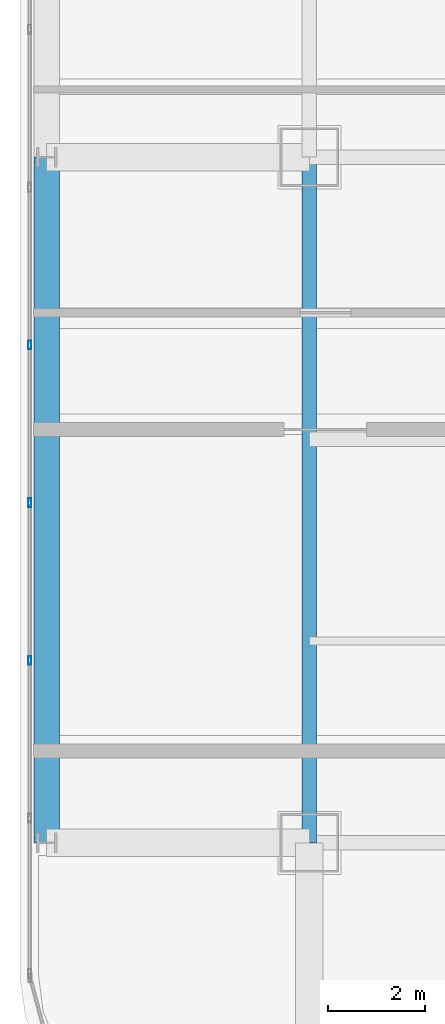
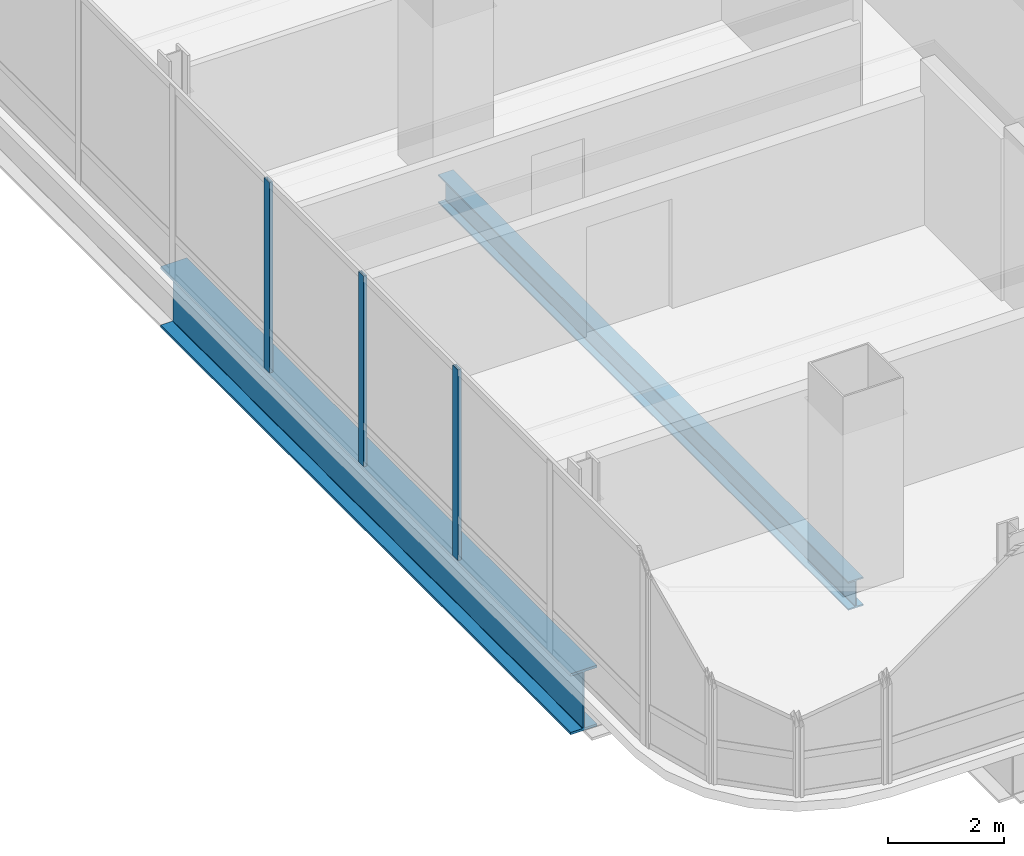
# One storey, part 5 of 42: 3 members, 2 beams, 1 element without a shape of its own.
"""IFC4 building model written with IfcOpenShell, lengths in metres."""

from ifc_helpers import new_model, si_unit, direction, frame, origin, origin_2d, place, context, subcontext, project, spatial, hollow_rectangle, i_section, extrude, material, material_profile, profile_set, type_object, element, aggregate, save


model = new_model("IFC4")

# Units and contexts
model_context = context("Model", 3, precision=1e-05, world=origin(), true_north=direction((0.0, 1.0)))
body_context = subcontext(model_context, "Body", "Model", "MODEL_VIEW")
ifc_project = project(units=[si_unit("LENGTHUNIT", "METRE"), si_unit("AREAUNIT", "SQUARE_METRE"), si_unit("VOLUMEUNIT", "CUBIC_METRE"), si_unit("PLANEANGLEUNIT", "RADIAN"), si_unit("MASSUNIT", "GRAM", prefix="KILO")], contexts=[model_context])

# Site, building, storey
site_placement = place(None, origin())
site = spatial("IfcSite", under=ifc_project, at=site_placement, CompositionType="ELEMENT")
building_placement = place(site_placement, origin())
building = spatial("IfcBuilding", under=site, at=building_placement, Name="Punatoya Terracotta Tower", CompositionType="ELEMENT")
storey_placement = place(building_placement, frame((0.0, 0.0, 325.800048828125)))
storey = spatial("IfcBuildingStorey", under=building, at=storey_placement, Name="L77", CompositionType="ELEMENT", Elevation=325.800048828125)

# Beams
ifc_material_1 = material(Name="Steel S355", Category="steel")
ifc_material_profile_1 = material_profile(ifc_material_1, i_section(OverallWidth=0.300048828125, OverallDepth=0.60009765625, WebThickness=0.015380859375, FlangeThickness=0.030029296875, FilletRadius=0.01806640625, at=origin_2d()))
ifc_profile_set_1 = profile_set([ifc_material_profile_1], Name="Steel S355")
beam_type_1 = type_object("IfcBeamType", Name="BM-PRI-600", PredefinedType="BEAM", material=ifc_profile_set_1)
beam_1_placement = place(storey_placement, frame((-19.10009765625, -17.5, -0.5), z_axis=(0.0, 1.0, 0.0), x_axis=(-1.0, 0.0, 0.0)))
element("IfcBeam", 1, at=beam_1_placement, inside=storey, type_object=beam_type_1, Name="BM-L77-RG-W1", PredefinedType="BEAM", context=body_context, shape_type="SweptSolid", body=[
    extrude(i_section(OverallWidth=0.300048828125, OverallDepth=0.60009765625, WebThickness=0.015380859375, FlangeThickness=0.030029296875, FilletRadius=0.01806640625, at=origin_2d()), origin(), (0.0, 0.0, 1.0), 14.10009765625),
])
ifc_material_2 = material(Name="Steel S460", Category="steel")
ifc_material_profile_2 = material_profile(ifc_material_2, i_section(OverallWidth=0.52001953125, OverallDepth=1.280029296875, WebThickness=0.031982421875, FlangeThickness=0.050048828125, FilletRadius=0.01806640625, at=origin_2d()))
ifc_profile_set_2 = profile_set([ifc_material_profile_2], Name="Steel S460")
beam_type_2 = type_object("IfcBeamType", Name="BM-TG-NCK", PredefinedType="BEAM", material=ifc_profile_set_2)
beam_2_placement = place(storey_placement, frame((-24.5, -17.5, -0.840087890625), z_axis=(0.0, 1.0, 0.0), x_axis=(-1.0, 0.0, 0.0)))
element("IfcBeam", 2, at=beam_2_placement, inside=storey, type_object=beam_type_2, Name="BM-L77-PER-W1", PredefinedType="BEAM", context=body_context, shape_type="SweptSolid", body=[
    extrude(i_section(OverallWidth=0.52001953125, OverallDepth=1.280029296875, WebThickness=0.031982421875, FlangeThickness=0.050048828125, FilletRadius=0.01806640625, at=origin_2d()), origin(), (0.0, 0.0, 1.0), 14.10009765625),
])

# Curtain wall, members
ifc_material_3 = material(Name="Aluminium 6063-T6 + Double Low-E Glass", Category="aluminium")
curtain_wall_type = type_object("IfcCurtainWallType", Name="CW-OBS", PredefinedType="NOTDEFINED", material=ifc_material_3)
curtain_wall_placement = place(storey_placement, origin())
curtain_wall = element("IfcCurtainWall", 3, at=curtain_wall_placement, inside=storey, type_object=curtain_wall_type, Name="L77 Curtain Wall CW-L77-W13-1", PredefinedType="NOTDEFINED")
ifc_material_4 = material(Name="Aluminium 6063-T6", Category="aluminium")
ifc_material_profile_3 = material_profile(ifc_material_4, hollow_rectangle(XDim=0.070068359375, YDim=0.179931640625, WallThickness=0.00390625, at=origin_2d()))
ifc_profile_set_3 = profile_set([ifc_material_profile_3], Name="Aluminium 6063-T6")
member_type = type_object("IfcMemberType", Name="CW-MUL-M3", PredefinedType="MULLION", material=ifc_profile_set_3)
member_1_placement = place(storey_placement, frame((-24.85009765625, -7.2646484375, 0.0), z_axis=(0.0, 0.0, 1.0), x_axis=(1.0, 0.0, 0.0)))
member_1 = element("IfcMember", 4, at=member_1_placement, type_object=member_type, Name="CW-L77-W13-1 Mullion 07", PredefinedType="MULLION", context=body_context, shape_type="SweptSolid", body=[
    extrude(hollow_rectangle(XDim=0.070068359375, YDim=0.179931640625, WallThickness=0.00390625, at=origin_2d()), origin(), (0.0, 0.0, 1.0), 4.0),
])
member_2_placement = place(storey_placement, frame((-24.85009765625, -10.5078125, 0.0), z_axis=(0.0, 0.0, 1.0), x_axis=(1.0, 0.0, 0.0)))
member_2 = element("IfcMember", 5, at=member_2_placement, type_object=member_type, Name="CW-L77-W13-1 Mullion 08", PredefinedType="MULLION", context=body_context, shape_type="SweptSolid", body=[
    extrude(hollow_rectangle(XDim=0.070068359375, YDim=0.179931640625, WallThickness=0.00390625, at=origin_2d()), origin(), (0.0, 0.0, 1.0), 4.0),
])
member_3_placement = place(storey_placement, frame((-24.85009765625, -13.750732421875, 0.0), z_axis=(0.0, 0.0, 1.0), x_axis=(1.0, 0.0, 0.0)))
member_3 = element("IfcMember", 6, at=member_3_placement, type_object=member_type, Name="CW-L77-W13-1 Mullion 09", PredefinedType="MULLION", context=body_context, shape_type="SweptSolid", body=[
    extrude(hollow_rectangle(XDim=0.070068359375, YDim=0.179931640625, WallThickness=0.00390625, at=origin_2d()), origin(), (0.0, 0.0, 1.0), 4.0),
])
aggregate(curtain_wall, [member_1, member_2, member_3])

save(model, "model.ifc")
